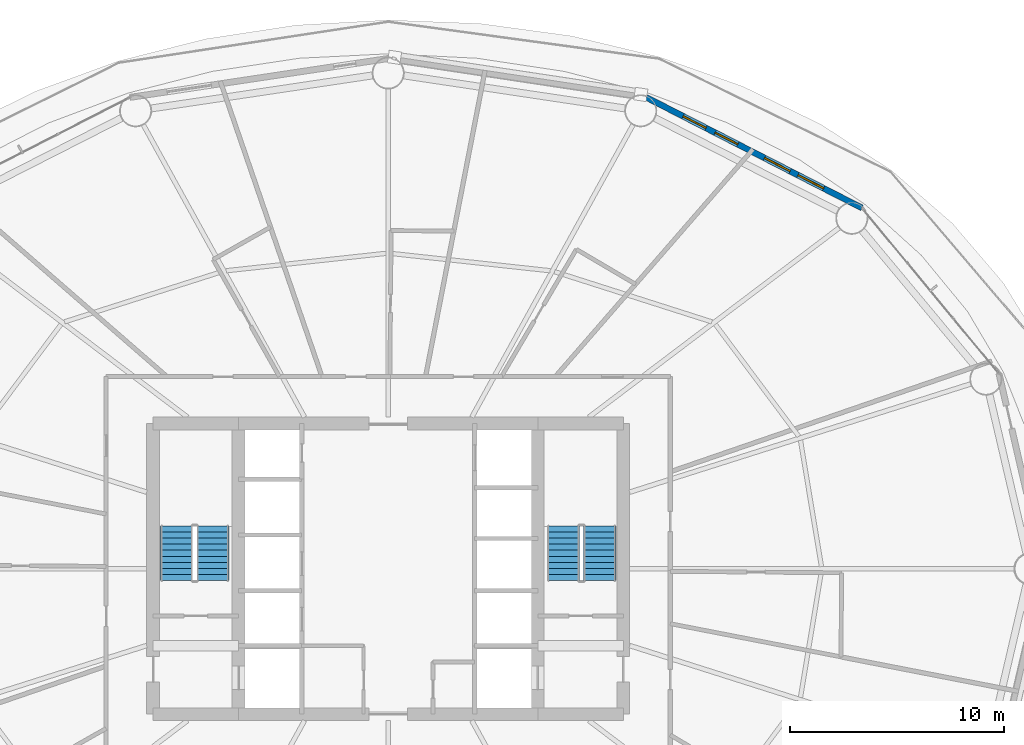
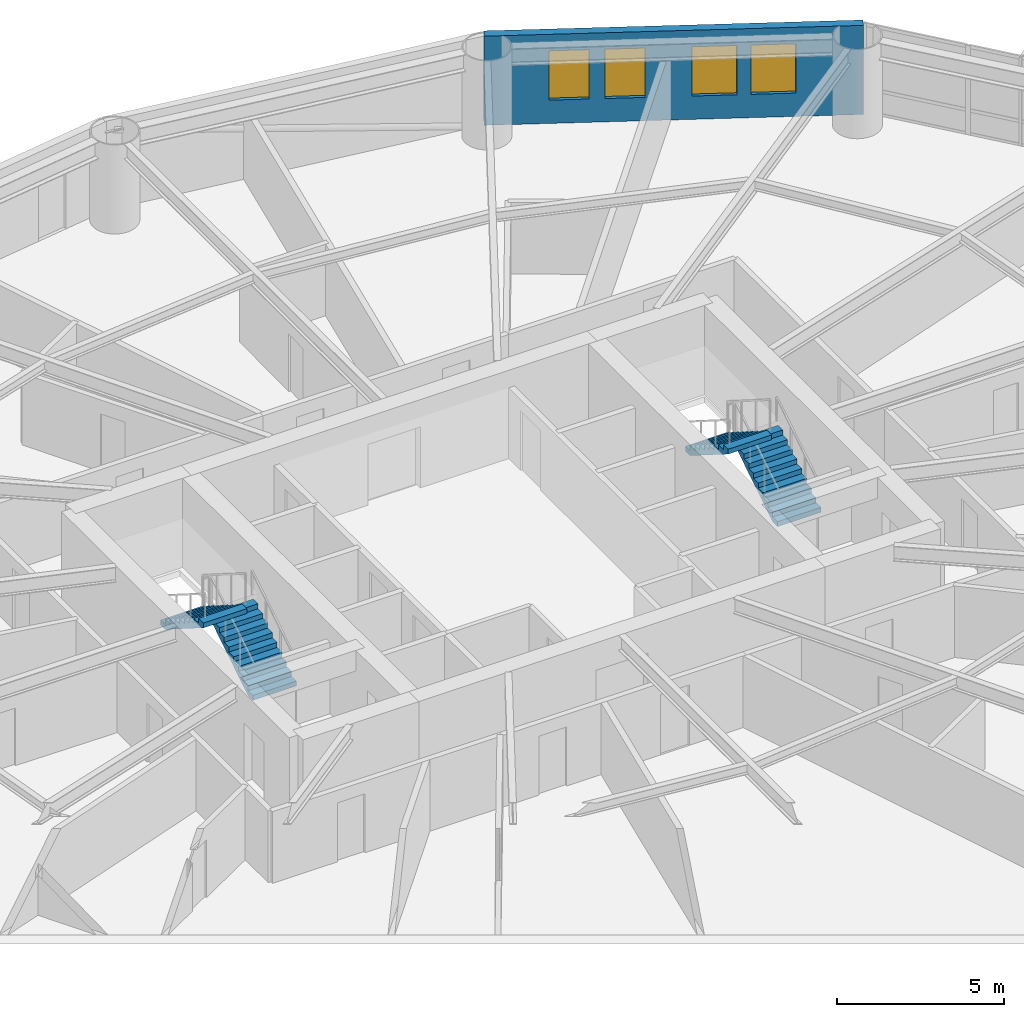
# One storey, part 24 of 27: 4 stair flights, 4 windows, 1 wall, 4 openings, 2 elements without a shape of their own.
"""IFC4 building model written with IfcOpenShell, lengths in metres."""

from ifc_helpers import new_model, si_unit, direction, frame, frame_2d, origin, place, context, subcontext, project, spatial, polyline, rectangle, outline, extrude, material, layer, layer_set, type_object, element, fill, aggregate, save


model = new_model("IFC4")

# Units and contexts
model_context = context("Model", 3, precision=1e-05, world=origin(), true_north=direction((0.0, 1.0)))
body_context = subcontext(model_context, "Body", "Model", "MODEL_VIEW")
ifc_project = project(units=[si_unit("LENGTHUNIT", "METRE"), si_unit("AREAUNIT", "SQUARE_METRE"), si_unit("VOLUMEUNIT", "CUBIC_METRE"), si_unit("PLANEANGLEUNIT", "RADIAN"), si_unit("MASSUNIT", "GRAM", prefix="KILO")], contexts=[model_context])

# Site, building, storey
site_placement = place(None, origin())
site = spatial("IfcSite", under=ifc_project, at=site_placement, CompositionType="ELEMENT")
building_placement = place(site_placement, origin())
building = spatial("IfcBuilding", under=site, at=building_placement, Name="Sarneth Arch Tower", CompositionType="ELEMENT")
storey_placement = place(building_placement, frame((0.0, 0.0, 75.0)))
storey = spatial("IfcBuildingStorey", under=building, at=storey_placement, Name="L18", CompositionType="ELEMENT", Elevation=75.0)

# Wall, openings, windows
ifc_material_1 = material(Name="Extruded terracotta rainscreen on Concrete C40/50 backing", Category="masonry")
ifc_layer = layer(ifc_material_1, 0.280029296875)
ifc_layer_set = layer_set([ifc_layer], Name="Extruded terracotta rainscreen on Concrete C40/50 backing")
wall_type = type_object("IfcWallType", Name="WALL-EXT-TERRA-280", PredefinedType="SOLIDWALL", material=ifc_layer_set)
wall_placement = place(storey_placement, frame((70.174072265625, 58.8857421875, 0.0), z_axis=(0.0, 0.0, 1.0), x_axis=(-0.889853976658, 0.456245438581, 0.0)))
wall = element("IfcWall", 1, at=wall_placement, inside=storey, type_object=wall_type, Name="L18 Terracotta perimeter wall 03", PredefinedType="SOLIDWALL", context=body_context, shape_type="SweptSolid", body=[
    extrude(rectangle(XDim=11.345947265625, YDim=0.280029296875, at=frame_2d((5.6728515625, 0.0))), origin(), (0.0, 0.0, 1.0), 3.25),
])
opening_1_placement = place(wall_placement, frame((2.01953125, 0.0, 0.85009765625)))
opening_1 = element("IfcOpeningElement", 2, at=opening_1_placement, cuts=wall, Name="Opening W-08", PredefinedType="OPENING", context=body_context, shape_type="SweptSolid", body=[
    extrude(rectangle(XDim=1.35009765625, YDim=1.800048828125, at=frame_2d((0.675048828125, 0.89990234375))), frame((0.0, 0.14990234375, 0.0), z_axis=(0.0, -1.0, 0.0), x_axis=(1.0, 0.0, 0.0)), (0.0, 0.0, 1.0), 0.300048828125),
])
opening_2_placement = place(wall_placement, frame((3.78369140625, 0.0, 0.85009765625)))
opening_2 = element("IfcOpeningElement", 3, at=opening_2_placement, cuts=wall, Name="Opening W-08", PredefinedType="OPENING", context=body_context, shape_type="SweptSolid", body=[
    extrude(rectangle(XDim=1.35009765625, YDim=1.800048828125, at=frame_2d((0.675048828125, 0.89990234375))), frame((0.0, 0.14990234375, 0.0), z_axis=(0.0, -1.0, 0.0), x_axis=(1.0, 0.0, 0.0)), (0.0, 0.0, 1.0), 0.300048828125),
])
opening_3_placement = place(wall_placement, frame((6.52880859375, 0.0, 0.85009765625)))
opening_3 = element("IfcOpeningElement", 4, at=opening_3_placement, cuts=wall, Name="Opening W-09", PredefinedType="OPENING", context=body_context, shape_type="SweptSolid", body=[
    extrude(rectangle(XDim=1.199951171875, YDim=1.800048828125, at=frame_2d((0.60009765625, 0.89990234375))), frame((0.0, 0.14990234375, 0.0), z_axis=(0.0, -1.0, 0.0), x_axis=(1.0, 0.0, 0.0)), (0.0, 0.0, 1.0), 0.300048828125),
])
opening_4_placement = place(wall_placement, frame((8.209716796875, 0.0, 0.85009765625)))
opening_4 = element("IfcOpeningElement", 5, at=opening_4_placement, cuts=wall, Name="Opening W-09", PredefinedType="OPENING", context=body_context, shape_type="SweptSolid", body=[
    extrude(rectangle(XDim=1.199951171875, YDim=1.800048828125, at=frame_2d((0.60009765625, 0.89990234375))), frame((0.0, 0.14990234375, 0.0), z_axis=(0.0, -1.0, 0.0), x_axis=(1.0, 0.0, 0.0)), (0.0, 0.0, 1.0), 0.300048828125),
])
ifc_material_2 = material(Name="Thermally broken Aluminium 6063-T6 and low-e laminated IGU", Category="aluminium")
window_type_1 = type_object("IfcWindowType", Name="WIN-TWR-1200x1800", PartitioningType="SINGLE_PANEL", PredefinedType="WINDOW", material=ifc_material_2)
window_1_placement = place(opening_3_placement, origin())
window_1 = element("IfcWindow", 6, at=window_1_placement, inside=storey, type_object=window_type_1, Name="L18 Exterior window 03C", OverallHeight=1.800048828125, OverallWidth=1.199951171875, PartitioningType="SINGLE_PANEL", PredefinedType="WINDOW", context=body_context, shape_type="SweptSolid", body=[
    extrude(rectangle(XDim=1.199951171875, YDim=1.800048828125, at=frame_2d((0.60009765625, 0.89990234375))), frame((0.0, 0.030029296875, 0.0), z_axis=(0.0, -1.0, 0.0), x_axis=(1.0, 0.0, 0.0)), (0.0, 0.0, 1.0), 0.06005859375),
])
fill(opening_3, window_1)
window_2_placement = place(opening_4_placement, origin())
window_2 = element("IfcWindow", 7, at=window_2_placement, inside=storey, type_object=window_type_1, Name="L18 Exterior window 03D", OverallHeight=1.800048828125, OverallWidth=1.199951171875, PartitioningType="SINGLE_PANEL", PredefinedType="WINDOW", context=body_context, shape_type="SweptSolid", body=[
    extrude(rectangle(XDim=1.199951171875, YDim=1.800048828125, at=frame_2d((0.60009765625, 0.89990234375))), frame((0.0, 0.030029296875, 0.0), z_axis=(0.0, -1.0, 0.0), x_axis=(1.0, 0.0, 0.0)), (0.0, 0.0, 1.0), 0.06005859375),
])
fill(opening_4, window_2)
ifc_material_3 = material(Name="Thermally broken Aluminium 6063-T6 and low-e laminated IGU", Category="aluminium")
window_type_2 = type_object("IfcWindowType", Name="WIN-TWR-1350x1800", PartitioningType="SINGLE_PANEL", PredefinedType="WINDOW", material=ifc_material_3)
window_3_placement = place(opening_1_placement, origin())
window_3 = element("IfcWindow", 8, at=window_3_placement, inside=storey, type_object=window_type_2, Name="L18 Exterior window 03A", OverallHeight=1.800048828125, OverallWidth=1.35009765625, PartitioningType="SINGLE_PANEL", PredefinedType="WINDOW", context=body_context, shape_type="SweptSolid", body=[
    extrude(rectangle(XDim=1.35009765625, YDim=1.800048828125, at=frame_2d((0.675048828125, 0.89990234375))), frame((0.0, 0.030029296875, 0.0), z_axis=(0.0, -1.0, 0.0), x_axis=(1.0, 0.0, 0.0)), (0.0, 0.0, 1.0), 0.06005859375),
])
fill(opening_1, window_3)
window_4_placement = place(opening_2_placement, origin())
window_4 = element("IfcWindow", 9, at=window_4_placement, inside=storey, type_object=window_type_2, Name="L18 Exterior window 03B", OverallHeight=1.800048828125, OverallWidth=1.35009765625, PartitioningType="SINGLE_PANEL", PredefinedType="WINDOW", context=body_context, shape_type="SweptSolid", body=[
    extrude(rectangle(XDim=1.35009765625, YDim=1.800048828125, at=frame_2d((0.675048828125, 0.89990234375))), frame((0.0, 0.030029296875, 0.0), z_axis=(0.0, -1.0, 0.0), x_axis=(1.0, 0.0, 0.0)), (0.0, 0.0, 1.0), 0.06005859375),
])
fill(opening_2, window_4)

# Stair, stair flights
ifc_material_4 = material(Name="Concrete C50/60", Category="concrete")
stair_type = type_object("IfcStairType", Name="STAIR-CORE-RC", PredefinedType="HALF_TURN_STAIR", material=ifc_material_4)
stair_1_placement = place(storey_placement, origin())
stair_1 = element("IfcStair", 10, at=stair_1_placement, inside=storey, type_object=stair_type, Name="L18 Core Exit Stair 1", PredefinedType="HALF_TURN_STAIR")
ifc_material_5 = material(Name="Concrete C50/60", Category="concrete")
stair_flight_type = type_object("IfcStairFlightType", Name="FLIGHT-RC-1500", PredefinedType="STRAIGHT", material=ifc_material_5)
stair_flight_1_placement = place(storey_placement, frame((39.800048828125, 41.449951171875, 0.0), z_axis=(0.0, 0.0, 1.0), x_axis=(0.0, 1.0, 0.0)))
stair_flight_1 = element("IfcStairFlight", 11, at=stair_flight_1_placement, type_object=stair_flight_type, Name="ST-1 flight 1", NumberOfRisers=10, NumberOfTreads=9, PredefinedType="STRAIGHT", RiserHeight=0.18, TreadLength=0.285, context=body_context, shape_type="SweptSolid", body=[
    extrude(outline(polyline([(0.0, 0.0), (0.0, 0.179931640625), (0.284912109375, 0.179931640625), (0.284912109375, 0.360107421875), (0.570068359375, 0.360107421875), (0.570068359375, 0.5400390625), (0.85498046875, 0.5400390625), (0.85498046875, 0.719970703125), (1.139892578125, 0.719970703125), (1.139892578125, 0.89990234375), (1.425048828125, 0.89990234375), (1.425048828125, 1.080078125), (1.7099609375, 1.080078125), (1.7099609375, 1.260009765625), (1.9951171875, 1.260009765625), (1.9951171875, 1.43994140625), (2.280029296875, 1.43994140625), (2.280029296875, 1.6201171875), (2.56494140625, 1.6201171875), (2.56494140625, 1.800048828125), (2.56494140625, 1.442626953125), (0.28076171875, 0.0), (0.0, 0.0)])), frame((0.0, 0.75, 0.0), z_axis=(0.0, -1.0, 0.0), x_axis=(1.0, 0.0, 0.0)), (0.0, 0.0, 1.0), 1.5),
])
stair_flight_2_placement = place(storey_placement, frame((38.10009765625, 44.014892578125, 1.800048828125), z_axis=(0.0, 0.0, 1.0), x_axis=(0.0, -1.0, 0.0)))
stair_flight_2 = element("IfcStairFlight", 12, at=stair_flight_2_placement, type_object=stair_flight_type, Name="ST-1 flight 2", NumberOfRisers=10, NumberOfTreads=9, PredefinedType="STRAIGHT", RiserHeight=0.18, TreadLength=0.285, context=body_context, shape_type="SweptSolid", body=[
    extrude(outline(polyline([(0.0, 0.0), (0.0, 0.179931640625), (0.284912109375, 0.179931640625), (0.284912109375, 0.360107421875), (0.570068359375, 0.360107421875), (0.570068359375, 0.5400390625), (0.85498046875, 0.5400390625), (0.85498046875, 0.719970703125), (1.139892578125, 0.719970703125), (1.139892578125, 0.89990234375), (1.425048828125, 0.89990234375), (1.425048828125, 1.080078125), (1.7099609375, 1.080078125), (1.7099609375, 1.260009765625), (1.9951171875, 1.260009765625), (1.9951171875, 1.43994140625), (2.280029296875, 1.43994140625), (2.280029296875, 1.6201171875), (2.56494140625, 1.6201171875), (2.56494140625, 1.800048828125), (2.56494140625, 1.442626953125), (0.28076171875, 0.0), (0.0, 0.0)])), frame((0.0, 0.75, 0.0), z_axis=(0.0, -1.0, 0.0), x_axis=(1.0, 0.0, 0.0)), (0.0, 0.0, 1.0), 1.5),
])
aggregate(stair_1, [stair_flight_1, stair_flight_2])

stair_2_placement = place(storey_placement, origin())
stair_2 = element("IfcStair", 13, at=stair_2_placement, inside=storey, type_object=stair_type, Name="L18 Core Exit Stair 2", PredefinedType="HALF_TURN_STAIR")
stair_flight_3_placement = place(storey_placement, frame((57.89990234375, 41.449951171875, 0.0), z_axis=(0.0, 0.0, 1.0), x_axis=(0.0, 1.0, 0.0)))
stair_flight_3 = element("IfcStairFlight", 14, at=stair_flight_3_placement, type_object=stair_flight_type, Name="ST-2 flight 1", NumberOfRisers=10, NumberOfTreads=9, PredefinedType="STRAIGHT", RiserHeight=0.18, TreadLength=0.285, context=body_context, shape_type="SweptSolid", body=[
    extrude(outline(polyline([(0.0, 0.0), (0.0, 0.179931640625), (0.284912109375, 0.179931640625), (0.284912109375, 0.360107421875), (0.570068359375, 0.360107421875), (0.570068359375, 0.5400390625), (0.85498046875, 0.5400390625), (0.85498046875, 0.719970703125), (1.139892578125, 0.719970703125), (1.139892578125, 0.89990234375), (1.425048828125, 0.89990234375), (1.425048828125, 1.080078125), (1.7099609375, 1.080078125), (1.7099609375, 1.260009765625), (1.9951171875, 1.260009765625), (1.9951171875, 1.43994140625), (2.280029296875, 1.43994140625), (2.280029296875, 1.6201171875), (2.56494140625, 1.6201171875), (2.56494140625, 1.800048828125), (2.56494140625, 1.442626953125), (0.28076171875, 0.0), (0.0, 0.0)])), frame((0.0, 0.75, 0.0), z_axis=(0.0, -1.0, 0.0), x_axis=(1.0, 0.0, 0.0)), (0.0, 0.0, 1.0), 1.5),
])
stair_flight_4_placement = place(storey_placement, frame((56.199951171875, 44.014892578125, 1.800048828125), z_axis=(0.0, 0.0, 1.0), x_axis=(0.0, -1.0, 0.0)))
stair_flight_4 = element("IfcStairFlight", 15, at=stair_flight_4_placement, type_object=stair_flight_type, Name="ST-2 flight 2", NumberOfRisers=10, NumberOfTreads=9, PredefinedType="STRAIGHT", RiserHeight=0.18, TreadLength=0.285, context=body_context, shape_type="SweptSolid", body=[
    extrude(outline(polyline([(0.0, 0.0), (0.0, 0.179931640625), (0.284912109375, 0.179931640625), (0.284912109375, 0.360107421875), (0.570068359375, 0.360107421875), (0.570068359375, 0.5400390625), (0.85498046875, 0.5400390625), (0.85498046875, 0.719970703125), (1.139892578125, 0.719970703125), (1.139892578125, 0.89990234375), (1.425048828125, 0.89990234375), (1.425048828125, 1.080078125), (1.7099609375, 1.080078125), (1.7099609375, 1.260009765625), (1.9951171875, 1.260009765625), (1.9951171875, 1.43994140625), (2.280029296875, 1.43994140625), (2.280029296875, 1.6201171875), (2.56494140625, 1.6201171875), (2.56494140625, 1.800048828125), (2.56494140625, 1.442626953125), (0.28076171875, 0.0), (0.0, 0.0)])), frame((0.0, 0.75, 0.0), z_axis=(0.0, -1.0, 0.0), x_axis=(1.0, 0.0, 0.0)), (0.0, 0.0, 1.0), 1.5),
])
aggregate(stair_2, [stair_flight_3, stair_flight_4])

save(model, "model.ifc")
